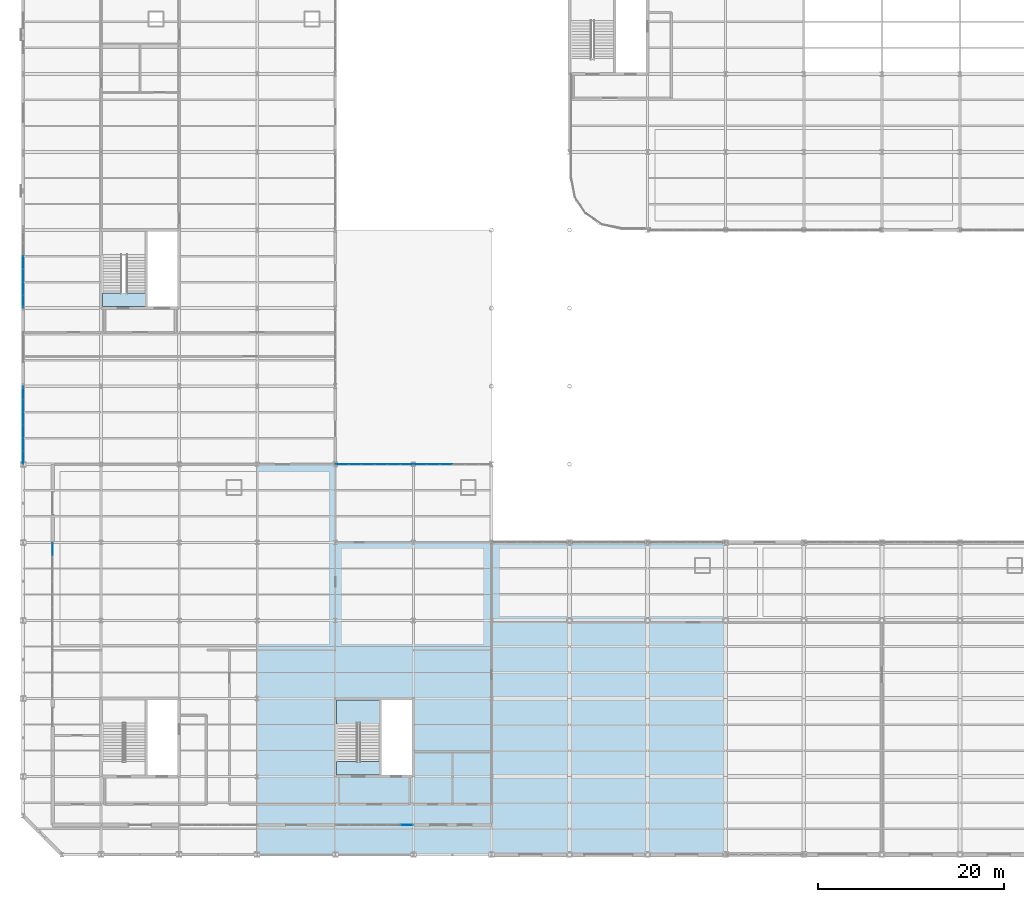
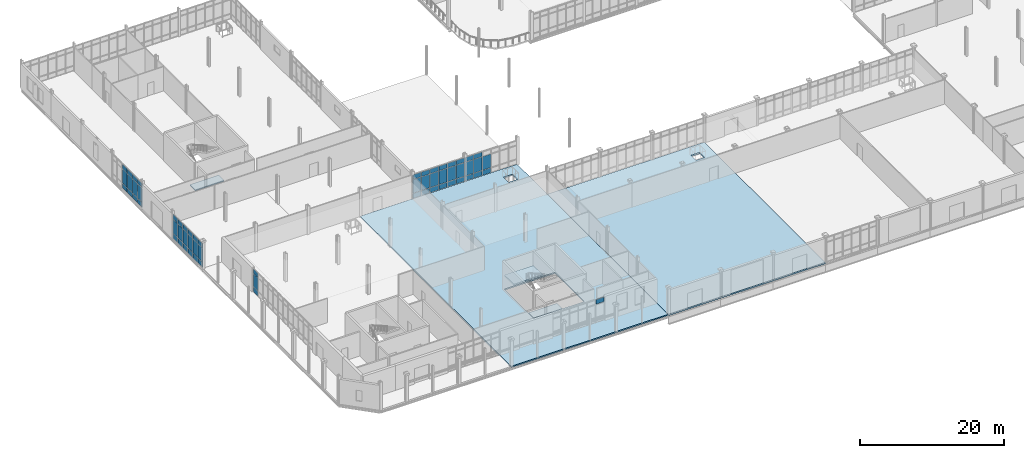
# One storey, part 110 of 145: 60 plates, 5 slabs, 7 elements without a shape of their own.
"""IFC4 building model written with IfcOpenShell, lengths in metres."""

from ifc_helpers import new_model, si_unit, direction, frame, origin, origin_2d, place, context, subcontext, project, spatial, polyline, rectangle, outline, extrude, material, layer, layer_set, type_object, element, aggregate, save


model = new_model("IFC4")

# Units and contexts
model_context = context("Model", 3, precision=1e-05, world=origin(), true_north=direction((0.0, 1.0)))
body_context = subcontext(model_context, "Body", "Model", "MODEL_VIEW")
ifc_project = project(units=[si_unit("LENGTHUNIT", "METRE"), si_unit("AREAUNIT", "SQUARE_METRE"), si_unit("VOLUMEUNIT", "CUBIC_METRE"), si_unit("PLANEANGLEUNIT", "RADIAN"), si_unit("MASSUNIT", "GRAM", prefix="KILO")], contexts=[model_context])

# Site, building, storey
site_placement = place(None, origin())
site = spatial("IfcSite", under=ifc_project, at=site_placement, CompositionType="ELEMENT")
building_placement = place(site_placement, origin())
building = spatial("IfcBuilding", under=site, at=building_placement, Name="Qalvenar Corner Mobility Hub", CompositionType="ELEMENT")
storey_placement = place(building_placement, origin())
storey = spatial("IfcBuildingStorey", under=building, at=storey_placement, Name="L00", CompositionType="ELEMENT", Elevation=0.0)

# Curtain wall, plates
ifc_material_1 = material(Name="Anodised Aluminium and Low-E Glazing", Category="aluminium")
ifc_layer_1 = layer(ifc_material_1, 0.14990234375)
ifc_layer_set_1 = layer_set([ifc_layer_1], Name="Anodised Aluminium and Low-E Glazing")
curtain_wall_type_1 = type_object("IfcCurtainWallType", Name="CW-CIV-84X40", PredefinedType="NOTDEFINED", material=ifc_layer_set_1)
curtain_wall_1_placement = place(storey_placement, origin())
curtain_wall_1 = element("IfcCurtainWall", 1, at=curtain_wall_1_placement, inside=storey, type_object=curtain_wall_type_1, Name="Glazed Curtain Wall CW-V3-L00-W004", PredefinedType="NOTDEFINED")
ifc_material_2 = material(Name="Solar-Control Low-E Double Glazing", Category="glass")
ifc_layer_2 = layer(ifc_material_2, 0.028076171875)
ifc_layer_set_2 = layer_set([ifc_layer_2], Name="Solar-Control Low-E Double Glazing")
plate_type_1 = type_object("IfcPlateType", Name="PLT-CWP-GLZ1", PredefinedType="CURTAIN_PANEL", material=ifc_layer_set_2)
plate_1_placement = place(storey_placement, frame((3.199951171875, 32.885009765625, 0.05517578125), z_axis=(0.0, 0.0, 1.0), x_axis=(0.0, -1.0, 0.0)))
plate_1 = element("IfcPlate", 2, at=plate_1_placement, type_object=plate_type_1, Name="CW-05 panel 1.1", PredefinedType="CURTAIN_PANEL", context=body_context, shape_type="SweptSolid", body=[
    extrude(rectangle(XDim=1.31005859375, YDim=0.028076171875, at=origin_2d()), origin(), (0.0, 0.0, 1.0), 0.8173828125),
])
plate_2_placement = place(storey_placement, frame((3.199951171875, 32.885009765625, 0.92724609375), z_axis=(0.0, 0.0, 1.0), x_axis=(0.0, -1.0, 0.0)))
plate_2 = element("IfcPlate", 3, at=plate_2_placement, type_object=plate_type_1, Name="CW-05 panel 1.2", PredefinedType="CURTAIN_PANEL", context=body_context, shape_type="SweptSolid", body=[
    extrude(rectangle(XDim=1.31005859375, YDim=0.028076171875, at=origin_2d()), origin(), (0.0, 0.0, 1.0), 2.195068359375),
])
plate_3_placement = place(storey_placement, frame((3.199951171875, 32.885009765625, 3.177490234375), z_axis=(0.0, 0.0, 1.0), x_axis=(0.0, -1.0, 0.0)))
plate_3 = element("IfcPlate", 4, at=plate_3_placement, type_object=plate_type_1, Name="CW-05 panel 1.3", PredefinedType="CURTAIN_PANEL", context=body_context, shape_type="SweptSolid", body=[
    extrude(rectangle(XDim=1.31005859375, YDim=0.028076171875, at=origin_2d()), origin(), (0.0, 0.0, 1.0), 0.767578125),
])
aggregate(curtain_wall_1, [plate_1, plate_2, plate_3])

ifc_layer_3 = layer(ifc_material_1, 0.14990234375)
ifc_layer_set_3 = layer_set([ifc_layer_3], Name="Anodised Aluminium and Low-E Glazing")
curtain_wall_type_2 = type_object("IfcCurtainWallType", Name="CW-CIV-84X46", PredefinedType="NOTDEFINED", material=ifc_layer_set_3)
curtain_wall_2_placement = place(storey_placement, origin())
curtain_wall_2 = element("IfcCurtainWall", 5, at=curtain_wall_2_placement, inside=storey, type_object=curtain_wall_type_2, Name="Glazed Curtain Wall CW-V3-L00-N005", PredefinedType="NOTDEFINED")
plate_4_placement = place(storey_placement, frame((45.5, 42.0, 0.05517578125), z_axis=(0.0, 0.0, 1.0), x_axis=(-1.0, 0.0, 0.0)))
plate_4 = element("IfcPlate", 6, at=plate_4_placement, type_object=plate_type_1, Name="CW-04 panel 4.1", PredefinedType="CURTAIN_PANEL", context=body_context, shape_type="SweptSolid", body=[
    extrude(rectangle(XDim=1.340087890625, YDim=0.028076171875, at=origin_2d()), origin(), (0.0, 0.0, 1.0), 0.8173828125),
])
plate_5_placement = place(storey_placement, frame((45.5, 42.0, 0.927490234375), z_axis=(0.0, 0.0, 1.0), x_axis=(-1.0, 0.0, 0.0)))
plate_5 = element("IfcPlate", 7, at=plate_5_placement, type_object=plate_type_1, Name="CW-04 panel 4.2", PredefinedType="CURTAIN_PANEL", context=body_context, shape_type="SweptSolid", body=[
    extrude(rectangle(XDim=1.340087890625, YDim=0.028076171875, at=origin_2d()), origin(), (0.0, 0.0, 1.0), 2.294921875),
])
plate_6_placement = place(storey_placement, frame((44.10009765625, 42.0, 0.05517578125), z_axis=(0.0, 0.0, 1.0), x_axis=(-1.0, 0.0, 0.0)))
plate_6 = element("IfcPlate", 8, at=plate_6_placement, type_object=plate_type_1, Name="CW-04 panel 5.1", PredefinedType="CURTAIN_PANEL", context=body_context, shape_type="SweptSolid", body=[
    extrude(rectangle(XDim=1.340087890625, YDim=0.028076171875, at=origin_2d()), origin(), (0.0, 0.0, 1.0), 0.8173828125),
])
plate_7_placement = place(storey_placement, frame((44.10009765625, 42.0, 0.927490234375), z_axis=(0.0, 0.0, 1.0), x_axis=(-1.0, 0.0, 0.0)))
plate_7 = element("IfcPlate", 9, at=plate_7_placement, type_object=plate_type_1, Name="CW-04 panel 5.2", PredefinedType="CURTAIN_PANEL", context=body_context, shape_type="SweptSolid", body=[
    extrude(rectangle(XDim=1.340087890625, YDim=0.028076171875, at=origin_2d()), origin(), (0.0, 0.0, 1.0), 2.294921875),
])
plate_8_placement = place(storey_placement, frame((44.10009765625, 42.0, 3.27734375), z_axis=(0.0, 0.0, 1.0), x_axis=(-1.0, 0.0, 0.0)))
plate_8 = element("IfcPlate", 10, at=plate_8_placement, type_object=plate_type_1, Name="CW-04 panel 5.3", PredefinedType="CURTAIN_PANEL", context=body_context, shape_type="SweptSolid", body=[
    extrude(rectangle(XDim=1.340087890625, YDim=0.028076171875, at=origin_2d()), origin(), (0.0, 0.0, 1.0), 0.767578125),
])
plate_9_placement = place(storey_placement, frame((42.715087890625, 42.0, 0.05517578125), z_axis=(0.0, 0.0, 1.0), x_axis=(-1.0, 0.0, 0.0)))
plate_9 = element("IfcPlate", 11, at=plate_9_placement, type_object=plate_type_1, Name="CW-04 panel 6.1", PredefinedType="CURTAIN_PANEL", context=body_context, shape_type="SweptSolid", body=[
    extrude(rectangle(XDim=1.31005859375, YDim=0.028076171875, at=origin_2d()), origin(), (0.0, 0.0, 1.0), 0.8173828125),
])
plate_10_placement = place(storey_placement, frame((42.715087890625, 42.0, 0.927490234375), z_axis=(0.0, 0.0, 1.0), x_axis=(-1.0, 0.0, 0.0)))
plate_10 = element("IfcPlate", 12, at=plate_10_placement, type_object=plate_type_1, Name="CW-04 panel 6.2", PredefinedType="CURTAIN_PANEL", context=body_context, shape_type="SweptSolid", body=[
    extrude(rectangle(XDim=1.31005859375, YDim=0.028076171875, at=origin_2d()), origin(), (0.0, 0.0, 1.0), 2.294921875),
])
plate_11_placement = place(storey_placement, frame((42.715087890625, 42.0, 3.27734375), z_axis=(0.0, 0.0, 1.0), x_axis=(-1.0, 0.0, 0.0)))
plate_11 = element("IfcPlate", 13, at=plate_11_placement, type_object=plate_type_1, Name="CW-04 panel 6.3", PredefinedType="CURTAIN_PANEL", context=body_context, shape_type="SweptSolid", body=[
    extrude(rectangle(XDim=1.31005859375, YDim=0.028076171875, at=origin_2d()), origin(), (0.0, 0.0, 1.0), 0.767578125),
])
aggregate(curtain_wall_2, [plate_4, plate_5, plate_6, plate_7, plate_8, plate_9, plate_10, plate_11])

curtain_wall_3_placement = place(storey_placement, origin())
curtain_wall_3 = element("IfcCurtainWall", 14, at=curtain_wall_3_placement, inside=storey, type_object=curtain_wall_type_2, Name="Glazed Curtain Wall CW-V3-L00-N006", PredefinedType="NOTDEFINED")
plate_12_placement = place(storey_placement, frame((41.284912109375, 42.0, 0.05517578125), z_axis=(0.0, 0.0, 1.0), x_axis=(-1.0, 0.0, 0.0)))
plate_12 = element("IfcPlate", 15, at=plate_12_placement, type_object=plate_type_1, Name="CW-04 panel 1.1", PredefinedType="CURTAIN_PANEL", context=body_context, shape_type="SweptSolid", body=[
    extrude(rectangle(XDim=1.31005859375, YDim=0.028076171875, at=origin_2d()), origin(), (0.0, 0.0, 1.0), 0.8173828125),
])
plate_13_placement = place(storey_placement, frame((41.284912109375, 42.0, 0.927490234375), z_axis=(0.0, 0.0, 1.0), x_axis=(-1.0, 0.0, 0.0)))
plate_13 = element("IfcPlate", 16, at=plate_13_placement, type_object=plate_type_1, Name="CW-04 panel 1.2", PredefinedType="CURTAIN_PANEL", context=body_context, shape_type="SweptSolid", body=[
    extrude(rectangle(XDim=1.31005859375, YDim=0.028076171875, at=origin_2d()), origin(), (0.0, 0.0, 1.0), 2.294921875),
])
plate_14_placement = place(storey_placement, frame((41.284912109375, 42.0, 3.27734375), z_axis=(0.0, 0.0, 1.0), x_axis=(-1.0, 0.0, 0.0)))
plate_14 = element("IfcPlate", 17, at=plate_14_placement, type_object=plate_type_1, Name="CW-04 panel 1.3", PredefinedType="CURTAIN_PANEL", context=body_context, shape_type="SweptSolid", body=[
    extrude(rectangle(XDim=1.31005859375, YDim=0.028076171875, at=origin_2d()), origin(), (0.0, 0.0, 1.0), 0.767578125),
])
plate_15_placement = place(storey_placement, frame((39.89990234375, 42.0, 0.05517578125), z_axis=(0.0, 0.0, 1.0), x_axis=(-1.0, 0.0, 0.0)))
plate_15 = element("IfcPlate", 18, at=plate_15_placement, type_object=plate_type_1, Name="CW-04 panel 2.1", PredefinedType="CURTAIN_PANEL", context=body_context, shape_type="SweptSolid", body=[
    extrude(rectangle(XDim=1.340087890625, YDim=0.028076171875, at=origin_2d()), origin(), (0.0, 0.0, 1.0), 0.8173828125),
])
plate_16_placement = place(storey_placement, frame((39.89990234375, 42.0, 0.927490234375), z_axis=(0.0, 0.0, 1.0), x_axis=(-1.0, 0.0, 0.0)))
plate_16 = element("IfcPlate", 19, at=plate_16_placement, type_object=plate_type_1, Name="CW-04 panel 2.2", PredefinedType="CURTAIN_PANEL", context=body_context, shape_type="SweptSolid", body=[
    extrude(rectangle(XDim=1.340087890625, YDim=0.028076171875, at=origin_2d()), origin(), (0.0, 0.0, 1.0), 2.294921875),
])
plate_17_placement = place(storey_placement, frame((39.89990234375, 42.0, 3.27734375), z_axis=(0.0, 0.0, 1.0), x_axis=(-1.0, 0.0, 0.0)))
plate_17 = element("IfcPlate", 20, at=plate_17_placement, type_object=plate_type_1, Name="CW-04 panel 2.3", PredefinedType="CURTAIN_PANEL", context=body_context, shape_type="SweptSolid", body=[
    extrude(rectangle(XDim=1.340087890625, YDim=0.028076171875, at=origin_2d()), origin(), (0.0, 0.0, 1.0), 0.767578125),
])
plate_18_placement = place(storey_placement, frame((38.5, 42.0, 0.05517578125), z_axis=(0.0, 0.0, 1.0), x_axis=(-1.0, 0.0, 0.0)))
plate_18 = element("IfcPlate", 21, at=plate_18_placement, type_object=plate_type_1, Name="CW-04 panel 3.1", PredefinedType="CURTAIN_PANEL", context=body_context, shape_type="SweptSolid", body=[
    extrude(rectangle(XDim=1.340087890625, YDim=0.028076171875, at=origin_2d()), origin(), (0.0, 0.0, 1.0), 0.8173828125),
])
plate_19_placement = place(storey_placement, frame((38.5, 42.0, 0.927490234375), z_axis=(0.0, 0.0, 1.0), x_axis=(-1.0, 0.0, 0.0)))
plate_19 = element("IfcPlate", 22, at=plate_19_placement, type_object=plate_type_1, Name="CW-04 panel 3.2", PredefinedType="CURTAIN_PANEL", context=body_context, shape_type="SweptSolid", body=[
    extrude(rectangle(XDim=1.340087890625, YDim=0.028076171875, at=origin_2d()), origin(), (0.0, 0.0, 1.0), 2.294921875),
])
plate_20_placement = place(storey_placement, frame((38.5, 42.0, 3.27734375), z_axis=(0.0, 0.0, 1.0), x_axis=(-1.0, 0.0, 0.0)))
plate_20 = element("IfcPlate", 23, at=plate_20_placement, type_object=plate_type_1, Name="CW-04 panel 3.3", PredefinedType="CURTAIN_PANEL", context=body_context, shape_type="SweptSolid", body=[
    extrude(rectangle(XDim=1.340087890625, YDim=0.028076171875, at=origin_2d()), origin(), (0.0, 0.0, 1.0), 0.767578125),
])
plate_21_placement = place(storey_placement, frame((37.10009765625, 42.0, 0.05517578125), z_axis=(0.0, 0.0, 1.0), x_axis=(-1.0, 0.0, 0.0)))
plate_21 = element("IfcPlate", 24, at=plate_21_placement, type_object=plate_type_1, Name="CW-04 panel 4.1", PredefinedType="CURTAIN_PANEL", context=body_context, shape_type="SweptSolid", body=[
    extrude(rectangle(XDim=1.340087890625, YDim=0.028076171875, at=origin_2d()), origin(), (0.0, 0.0, 1.0), 0.8173828125),
])
plate_22_placement = place(storey_placement, frame((37.10009765625, 42.0, 0.927490234375), z_axis=(0.0, 0.0, 1.0), x_axis=(-1.0, 0.0, 0.0)))
plate_22 = element("IfcPlate", 25, at=plate_22_placement, type_object=plate_type_1, Name="CW-04 panel 4.2", PredefinedType="CURTAIN_PANEL", context=body_context, shape_type="SweptSolid", body=[
    extrude(rectangle(XDim=1.340087890625, YDim=0.028076171875, at=origin_2d()), origin(), (0.0, 0.0, 1.0), 2.294921875),
])
plate_23_placement = place(storey_placement, frame((37.10009765625, 42.0, 3.27734375), z_axis=(0.0, 0.0, 1.0), x_axis=(-1.0, 0.0, 0.0)))
plate_23 = element("IfcPlate", 26, at=plate_23_placement, type_object=plate_type_1, Name="CW-04 panel 4.3", PredefinedType="CURTAIN_PANEL", context=body_context, shape_type="SweptSolid", body=[
    extrude(rectangle(XDim=1.340087890625, YDim=0.028076171875, at=origin_2d()), origin(), (0.0, 0.0, 1.0), 0.767578125),
])
plate_24_placement = place(storey_placement, frame((35.699951171875, 42.0, 0.05517578125), z_axis=(0.0, 0.0, 1.0), x_axis=(-1.0, 0.0, 0.0)))
plate_24 = element("IfcPlate", 27, at=plate_24_placement, type_object=plate_type_1, Name="CW-04 panel 5.1", PredefinedType="CURTAIN_PANEL", context=body_context, shape_type="SweptSolid", body=[
    extrude(rectangle(XDim=1.340087890625, YDim=0.028076171875, at=origin_2d()), origin(), (0.0, 0.0, 1.0), 0.8173828125),
])
plate_25_placement = place(storey_placement, frame((35.699951171875, 42.0, 0.927490234375), z_axis=(0.0, 0.0, 1.0), x_axis=(-1.0, 0.0, 0.0)))
plate_25 = element("IfcPlate", 28, at=plate_25_placement, type_object=plate_type_1, Name="CW-04 panel 5.2", PredefinedType="CURTAIN_PANEL", context=body_context, shape_type="SweptSolid", body=[
    extrude(rectangle(XDim=1.340087890625, YDim=0.028076171875, at=origin_2d()), origin(), (0.0, 0.0, 1.0), 2.294921875),
])
plate_26_placement = place(storey_placement, frame((35.699951171875, 42.0, 3.27734375), z_axis=(0.0, 0.0, 1.0), x_axis=(-1.0, 0.0, 0.0)))
plate_26 = element("IfcPlate", 29, at=plate_26_placement, type_object=plate_type_1, Name="CW-04 panel 5.3", PredefinedType="CURTAIN_PANEL", context=body_context, shape_type="SweptSolid", body=[
    extrude(rectangle(XDim=1.340087890625, YDim=0.028076171875, at=origin_2d()), origin(), (0.0, 0.0, 1.0), 0.767578125),
])
plate_27_placement = place(storey_placement, frame((34.31494140625, 42.0, 0.05517578125), z_axis=(0.0, 0.0, 1.0), x_axis=(-1.0, 0.0, 0.0)))
plate_27 = element("IfcPlate", 30, at=plate_27_placement, type_object=plate_type_1, Name="CW-04 panel 6.1", PredefinedType="CURTAIN_PANEL", context=body_context, shape_type="SweptSolid", body=[
    extrude(rectangle(XDim=1.31005859375, YDim=0.028076171875, at=origin_2d()), origin(), (0.0, 0.0, 1.0), 0.8173828125),
])
plate_28_placement = place(storey_placement, frame((34.31494140625, 42.0, 0.927490234375), z_axis=(0.0, 0.0, 1.0), x_axis=(-1.0, 0.0, 0.0)))
plate_28 = element("IfcPlate", 31, at=plate_28_placement, type_object=plate_type_1, Name="CW-04 panel 6.2", PredefinedType="CURTAIN_PANEL", context=body_context, shape_type="SweptSolid", body=[
    extrude(rectangle(XDim=1.31005859375, YDim=0.028076171875, at=origin_2d()), origin(), (0.0, 0.0, 1.0), 2.294921875),
])
plate_29_placement = place(storey_placement, frame((34.31494140625, 42.0, 3.27734375), z_axis=(0.0, 0.0, 1.0), x_axis=(-1.0, 0.0, 0.0)))
plate_29 = element("IfcPlate", 32, at=plate_29_placement, type_object=plate_type_1, Name="CW-04 panel 6.3", PredefinedType="CURTAIN_PANEL", context=body_context, shape_type="SweptSolid", body=[
    extrude(rectangle(XDim=1.31005859375, YDim=0.028076171875, at=origin_2d()), origin(), (0.0, 0.0, 1.0), 0.767578125),
])
aggregate(curtain_wall_3, [plate_12, plate_13, plate_14, plate_15, plate_16, plate_17, plate_18, plate_19, plate_20, plate_21, plate_22, plate_23, plate_24, plate_25, plate_26, plate_27, plate_28, plate_29])

ifc_layer_4 = layer(ifc_material_1, 0.14990234375)
ifc_layer_set_4 = layer_set([ifc_layer_4], Name="Anodised Aluminium and Low-E Glazing")
curtain_wall_type_3 = type_object("IfcCurtainWallType", Name="CW-CYC-84X45", PredefinedType="NOTDEFINED", material=ifc_layer_set_4)
curtain_wall_4_placement = place(storey_placement, origin())
curtain_wall_4 = element("IfcCurtainWall", 33, at=curtain_wall_4_placement, inside=storey, type_object=curtain_wall_type_3, Name="Glazed Curtain Wall CW-V5-L00-W0", PredefinedType="NOTDEFINED")
plate_30_placement = place(storey_placement, frame((0.0, 49.68505859375, 0.05517578125), z_axis=(0.0, 0.0, 1.0), x_axis=(0.0, -1.0, 0.0)))
plate_30 = element("IfcPlate", 34, at=plate_30_placement, type_object=plate_type_1, Name="CW-07 panel 1.1", PredefinedType="CURTAIN_PANEL", context=body_context, shape_type="SweptSolid", body=[
    extrude(rectangle(XDim=1.31005859375, YDim=0.028076171875, at=origin_2d()), origin(), (0.0, 0.0, 1.0), 0.8173828125),
])
plate_31_placement = place(storey_placement, frame((0.0, 49.68505859375, 0.927734375), z_axis=(0.0, 0.0, 1.0), x_axis=(0.0, -1.0, 0.0)))
plate_31 = element("IfcPlate", 35, at=plate_31_placement, type_object=plate_type_1, Name="CW-07 panel 1.2", PredefinedType="CURTAIN_PANEL", context=body_context, shape_type="SweptSolid", body=[
    extrude(rectangle(XDim=1.31005859375, YDim=0.028076171875, at=origin_2d()), origin(), (0.0, 0.0, 1.0), 2.364990234375),
])
plate_32_placement = place(storey_placement, frame((0.0, 49.68505859375, 3.347412109375), z_axis=(0.0, 0.0, 1.0), x_axis=(0.0, -1.0, 0.0)))
plate_32 = element("IfcPlate", 36, at=plate_32_placement, type_object=plate_type_1, Name="CW-07 panel 1.3", PredefinedType="CURTAIN_PANEL", context=body_context, shape_type="SweptSolid", body=[
    extrude(rectangle(XDim=1.31005859375, YDim=0.028076171875, at=origin_2d()), origin(), (0.0, 0.0, 1.0), 0.767578125),
])
plate_33_placement = place(storey_placement, frame((0.0, 48.300048828125, 0.05517578125), z_axis=(0.0, 0.0, 1.0), x_axis=(0.0, -1.0, 0.0)))
plate_33 = element("IfcPlate", 37, at=plate_33_placement, type_object=plate_type_1, Name="CW-07 panel 2.1", PredefinedType="CURTAIN_PANEL", context=body_context, shape_type="SweptSolid", body=[
    extrude(rectangle(XDim=1.340087890625, YDim=0.028076171875, at=origin_2d()), origin(), (0.0, 0.0, 1.0), 0.8173828125),
])
plate_34_placement = place(storey_placement, frame((0.0, 48.300048828125, 0.927734375), z_axis=(0.0, 0.0, 1.0), x_axis=(0.0, -1.0, 0.0)))
plate_34 = element("IfcPlate", 38, at=plate_34_placement, type_object=plate_type_1, Name="CW-07 panel 2.2", PredefinedType="CURTAIN_PANEL", context=body_context, shape_type="SweptSolid", body=[
    extrude(rectangle(XDim=1.340087890625, YDim=0.028076171875, at=origin_2d()), origin(), (0.0, 0.0, 1.0), 2.364990234375),
])
plate_35_placement = place(storey_placement, frame((0.0, 48.300048828125, 3.347412109375), z_axis=(0.0, 0.0, 1.0), x_axis=(0.0, -1.0, 0.0)))
plate_35 = element("IfcPlate", 39, at=plate_35_placement, type_object=plate_type_1, Name="CW-07 panel 2.3", PredefinedType="CURTAIN_PANEL", context=body_context, shape_type="SweptSolid", body=[
    extrude(rectangle(XDim=1.340087890625, YDim=0.028076171875, at=origin_2d()), origin(), (0.0, 0.0, 1.0), 0.767578125),
])
plate_36_placement = place(storey_placement, frame((0.0, 46.89990234375, 0.05517578125), z_axis=(0.0, 0.0, 1.0), x_axis=(0.0, -1.0, 0.0)))
plate_36 = element("IfcPlate", 40, at=plate_36_placement, type_object=plate_type_1, Name="CW-07 panel 3.1", PredefinedType="CURTAIN_PANEL", context=body_context, shape_type="SweptSolid", body=[
    extrude(rectangle(XDim=1.340087890625, YDim=0.028076171875, at=origin_2d()), origin(), (0.0, 0.0, 1.0), 0.8173828125),
])
plate_37_placement = place(storey_placement, frame((0.0, 46.89990234375, 0.927734375), z_axis=(0.0, 0.0, 1.0), x_axis=(0.0, -1.0, 0.0)))
plate_37 = element("IfcPlate", 41, at=plate_37_placement, type_object=plate_type_1, Name="CW-07 panel 3.2", PredefinedType="CURTAIN_PANEL", context=body_context, shape_type="SweptSolid", body=[
    extrude(rectangle(XDim=1.340087890625, YDim=0.028076171875, at=origin_2d()), origin(), (0.0, 0.0, 1.0), 2.364990234375),
])
plate_38_placement = place(storey_placement, frame((0.0, 46.89990234375, 3.347412109375), z_axis=(0.0, 0.0, 1.0), x_axis=(0.0, -1.0, 0.0)))
plate_38 = element("IfcPlate", 42, at=plate_38_placement, type_object=plate_type_1, Name="CW-07 panel 3.3", PredefinedType="CURTAIN_PANEL", context=body_context, shape_type="SweptSolid", body=[
    extrude(rectangle(XDim=1.340087890625, YDim=0.028076171875, at=origin_2d()), origin(), (0.0, 0.0, 1.0), 0.767578125),
])
plate_39_placement = place(storey_placement, frame((0.0, 45.5, 0.05517578125), z_axis=(0.0, 0.0, 1.0), x_axis=(0.0, -1.0, 0.0)))
plate_39 = element("IfcPlate", 43, at=plate_39_placement, type_object=plate_type_1, Name="CW-07 panel 4.1", PredefinedType="CURTAIN_PANEL", context=body_context, shape_type="SweptSolid", body=[
    extrude(rectangle(XDim=1.340087890625, YDim=0.028076171875, at=origin_2d()), origin(), (0.0, 0.0, 1.0), 0.8173828125),
])
plate_40_placement = place(storey_placement, frame((0.0, 45.5, 0.927734375), z_axis=(0.0, 0.0, 1.0), x_axis=(0.0, -1.0, 0.0)))
plate_40 = element("IfcPlate", 44, at=plate_40_placement, type_object=plate_type_1, Name="CW-07 panel 4.2", PredefinedType="CURTAIN_PANEL", context=body_context, shape_type="SweptSolid", body=[
    extrude(rectangle(XDim=1.340087890625, YDim=0.028076171875, at=origin_2d()), origin(), (0.0, 0.0, 1.0), 2.364990234375),
])
plate_41_placement = place(storey_placement, frame((0.0, 45.5, 3.347412109375), z_axis=(0.0, 0.0, 1.0), x_axis=(0.0, -1.0, 0.0)))
plate_41 = element("IfcPlate", 45, at=plate_41_placement, type_object=plate_type_1, Name="CW-07 panel 4.3", PredefinedType="CURTAIN_PANEL", context=body_context, shape_type="SweptSolid", body=[
    extrude(rectangle(XDim=1.340087890625, YDim=0.028076171875, at=origin_2d()), origin(), (0.0, 0.0, 1.0), 0.767578125),
])
plate_42_placement = place(storey_placement, frame((0.0, 44.10009765625, 0.05517578125), z_axis=(0.0, 0.0, 1.0), x_axis=(0.0, -1.0, 0.0)))
plate_42 = element("IfcPlate", 46, at=plate_42_placement, type_object=plate_type_1, Name="CW-07 panel 5.1", PredefinedType="CURTAIN_PANEL", context=body_context, shape_type="SweptSolid", body=[
    extrude(rectangle(XDim=1.340087890625, YDim=0.028076171875, at=origin_2d()), origin(), (0.0, 0.0, 1.0), 0.8173828125),
])
plate_43_placement = place(storey_placement, frame((0.0, 44.10009765625, 0.927734375), z_axis=(0.0, 0.0, 1.0), x_axis=(0.0, -1.0, 0.0)))
plate_43 = element("IfcPlate", 47, at=plate_43_placement, type_object=plate_type_1, Name="CW-07 panel 5.2", PredefinedType="CURTAIN_PANEL", context=body_context, shape_type="SweptSolid", body=[
    extrude(rectangle(XDim=1.340087890625, YDim=0.028076171875, at=origin_2d()), origin(), (0.0, 0.0, 1.0), 2.364990234375),
])
plate_44_placement = place(storey_placement, frame((0.0, 44.10009765625, 3.347412109375), z_axis=(0.0, 0.0, 1.0), x_axis=(0.0, -1.0, 0.0)))
plate_44 = element("IfcPlate", 48, at=plate_44_placement, type_object=plate_type_1, Name="CW-07 panel 5.3", PredefinedType="CURTAIN_PANEL", context=body_context, shape_type="SweptSolid", body=[
    extrude(rectangle(XDim=1.340087890625, YDim=0.028076171875, at=origin_2d()), origin(), (0.0, 0.0, 1.0), 0.767578125),
])
plate_45_placement = place(storey_placement, frame((0.0, 42.715087890625, 0.05517578125), z_axis=(0.0, 0.0, 1.0), x_axis=(0.0, -1.0, 0.0)))
plate_45 = element("IfcPlate", 49, at=plate_45_placement, type_object=plate_type_1, Name="CW-07 panel 6.1", PredefinedType="CURTAIN_PANEL", context=body_context, shape_type="SweptSolid", body=[
    extrude(rectangle(XDim=1.31005859375, YDim=0.028076171875, at=origin_2d()), origin(), (0.0, 0.0, 1.0), 0.8173828125),
])
plate_46_placement = place(storey_placement, frame((0.0, 42.715087890625, 0.927734375), z_axis=(0.0, 0.0, 1.0), x_axis=(0.0, -1.0, 0.0)))
plate_46 = element("IfcPlate", 50, at=plate_46_placement, type_object=plate_type_1, Name="CW-07 panel 6.2", PredefinedType="CURTAIN_PANEL", context=body_context, shape_type="SweptSolid", body=[
    extrude(rectangle(XDim=1.31005859375, YDim=0.028076171875, at=origin_2d()), origin(), (0.0, 0.0, 1.0), 2.364990234375),
])
plate_47_placement = place(storey_placement, frame((0.0, 42.715087890625, 3.347412109375), z_axis=(0.0, 0.0, 1.0), x_axis=(0.0, -1.0, 0.0)))
plate_47 = element("IfcPlate", 51, at=plate_47_placement, type_object=plate_type_1, Name="CW-07 panel 6.3", PredefinedType="CURTAIN_PANEL", context=body_context, shape_type="SweptSolid", body=[
    extrude(rectangle(XDim=1.31005859375, YDim=0.028076171875, at=origin_2d()), origin(), (0.0, 0.0, 1.0), 0.767578125),
])
aggregate(curtain_wall_4, [plate_30, plate_31, plate_32, plate_33, plate_34, plate_35, plate_36, plate_37, plate_38, plate_39, plate_40, plate_41, plate_42, plate_43, plate_44, plate_45, plate_46, plate_47])

curtain_wall_5_placement = place(storey_placement, origin())
curtain_wall_5 = element("IfcCurtainWall", 52, at=curtain_wall_5_placement, inside=storey, type_object=curtain_wall_type_3, Name="Glazed Curtain Wall CW-V5-L00-W2", PredefinedType="NOTDEFINED")
plate_48_placement = place(storey_placement, frame((0.0, 63.699951171875, 0.05517578125), z_axis=(0.0, 0.0, 1.0), x_axis=(0.0, -1.0, 0.0)))
plate_48 = element("IfcPlate", 53, at=plate_48_placement, type_object=plate_type_1, Name="CW-07 panel 3.1", PredefinedType="CURTAIN_PANEL", context=body_context, shape_type="SweptSolid", body=[
    extrude(rectangle(XDim=1.340087890625, YDim=0.028076171875, at=origin_2d()), origin(), (0.0, 0.0, 1.0), 0.8173828125),
])
plate_49_placement = place(storey_placement, frame((0.0, 63.699951171875, 0.927734375), z_axis=(0.0, 0.0, 1.0), x_axis=(0.0, -1.0, 0.0)))
plate_49 = element("IfcPlate", 54, at=plate_49_placement, type_object=plate_type_1, Name="CW-07 panel 3.2", PredefinedType="CURTAIN_PANEL", context=body_context, shape_type="SweptSolid", body=[
    extrude(rectangle(XDim=1.340087890625, YDim=0.028076171875, at=origin_2d()), origin(), (0.0, 0.0, 1.0), 2.364990234375),
])
plate_50_placement = place(storey_placement, frame((0.0, 63.699951171875, 3.347412109375), z_axis=(0.0, 0.0, 1.0), x_axis=(0.0, -1.0, 0.0)))
plate_50 = element("IfcPlate", 55, at=plate_50_placement, type_object=plate_type_1, Name="CW-07 panel 3.3", PredefinedType="CURTAIN_PANEL", context=body_context, shape_type="SweptSolid", body=[
    extrude(rectangle(XDim=1.340087890625, YDim=0.028076171875, at=origin_2d()), origin(), (0.0, 0.0, 1.0), 0.767578125),
])
plate_51_placement = place(storey_placement, frame((0.0, 62.300048828125, 0.05517578125), z_axis=(0.0, 0.0, 1.0), x_axis=(0.0, -1.0, 0.0)))
plate_51 = element("IfcPlate", 56, at=plate_51_placement, type_object=plate_type_1, Name="CW-07 panel 4.1", PredefinedType="CURTAIN_PANEL", context=body_context, shape_type="SweptSolid", body=[
    extrude(rectangle(XDim=1.340087890625, YDim=0.028076171875, at=origin_2d()), origin(), (0.0, 0.0, 1.0), 0.8173828125),
])
plate_52_placement = place(storey_placement, frame((0.0, 62.300048828125, 0.927734375), z_axis=(0.0, 0.0, 1.0), x_axis=(0.0, -1.0, 0.0)))
plate_52 = element("IfcPlate", 57, at=plate_52_placement, type_object=plate_type_1, Name="CW-07 panel 4.2", PredefinedType="CURTAIN_PANEL", context=body_context, shape_type="SweptSolid", body=[
    extrude(rectangle(XDim=1.340087890625, YDim=0.028076171875, at=origin_2d()), origin(), (0.0, 0.0, 1.0), 2.364990234375),
])
plate_53_placement = place(storey_placement, frame((0.0, 62.300048828125, 3.347412109375), z_axis=(0.0, 0.0, 1.0), x_axis=(0.0, -1.0, 0.0)))
plate_53 = element("IfcPlate", 58, at=plate_53_placement, type_object=plate_type_1, Name="CW-07 panel 4.3", PredefinedType="CURTAIN_PANEL", context=body_context, shape_type="SweptSolid", body=[
    extrude(rectangle(XDim=1.340087890625, YDim=0.028076171875, at=origin_2d()), origin(), (0.0, 0.0, 1.0), 0.767578125),
])
plate_54_placement = place(storey_placement, frame((0.0, 60.89990234375, 0.05517578125), z_axis=(0.0, 0.0, 1.0), x_axis=(0.0, -1.0, 0.0)))
plate_54 = element("IfcPlate", 59, at=plate_54_placement, type_object=plate_type_1, Name="CW-07 panel 5.1", PredefinedType="CURTAIN_PANEL", context=body_context, shape_type="SweptSolid", body=[
    extrude(rectangle(XDim=1.340087890625, YDim=0.028076171875, at=origin_2d()), origin(), (0.0, 0.0, 1.0), 0.8173828125),
])
plate_55_placement = place(storey_placement, frame((0.0, 60.89990234375, 0.927734375), z_axis=(0.0, 0.0, 1.0), x_axis=(0.0, -1.0, 0.0)))
plate_55 = element("IfcPlate", 60, at=plate_55_placement, type_object=plate_type_1, Name="CW-07 panel 5.2", PredefinedType="CURTAIN_PANEL", context=body_context, shape_type="SweptSolid", body=[
    extrude(rectangle(XDim=1.340087890625, YDim=0.028076171875, at=origin_2d()), origin(), (0.0, 0.0, 1.0), 2.364990234375),
])
plate_56_placement = place(storey_placement, frame((0.0, 60.89990234375, 3.347412109375), z_axis=(0.0, 0.0, 1.0), x_axis=(0.0, -1.0, 0.0)))
plate_56 = element("IfcPlate", 61, at=plate_56_placement, type_object=plate_type_1, Name="CW-07 panel 5.3", PredefinedType="CURTAIN_PANEL", context=body_context, shape_type="SweptSolid", body=[
    extrude(rectangle(XDim=1.340087890625, YDim=0.028076171875, at=origin_2d()), origin(), (0.0, 0.0, 1.0), 0.767578125),
])
plate_57_placement = place(storey_placement, frame((0.0, 59.514892578125, 0.05517578125), z_axis=(0.0, 0.0, 1.0), x_axis=(0.0, -1.0, 0.0)))
plate_57 = element("IfcPlate", 62, at=plate_57_placement, type_object=plate_type_1, Name="CW-07 panel 6.1", PredefinedType="CURTAIN_PANEL", context=body_context, shape_type="SweptSolid", body=[
    extrude(rectangle(XDim=1.31005859375, YDim=0.028076171875, at=origin_2d()), origin(), (0.0, 0.0, 1.0), 0.8173828125),
])
plate_58_placement = place(storey_placement, frame((0.0, 59.514892578125, 0.927734375), z_axis=(0.0, 0.0, 1.0), x_axis=(0.0, -1.0, 0.0)))
plate_58 = element("IfcPlate", 63, at=plate_58_placement, type_object=plate_type_1, Name="CW-07 panel 6.2", PredefinedType="CURTAIN_PANEL", context=body_context, shape_type="SweptSolid", body=[
    extrude(rectangle(XDim=1.31005859375, YDim=0.028076171875, at=origin_2d()), origin(), (0.0, 0.0, 1.0), 2.364990234375),
])
plate_59_placement = place(storey_placement, frame((0.0, 59.514892578125, 3.347412109375), z_axis=(0.0, 0.0, 1.0), x_axis=(0.0, -1.0, 0.0)))
plate_59 = element("IfcPlate", 64, at=plate_59_placement, type_object=plate_type_1, Name="CW-07 panel 6.3", PredefinedType="CURTAIN_PANEL", context=body_context, shape_type="SweptSolid", body=[
    extrude(rectangle(XDim=1.31005859375, YDim=0.028076171875, at=origin_2d()), origin(), (0.0, 0.0, 1.0), 0.767578125),
])
aggregate(curtain_wall_5, [plate_48, plate_49, plate_50, plate_51, plate_52, plate_53, plate_54, plate_55, plate_56, plate_57, plate_58, plate_59])

# Curtain wall, plate
curtain_wall_6_placement = place(storey_placement, origin())
curtain_wall_6 = element("IfcCurtainWall", 65, at=curtain_wall_6_placement, inside=storey, type_object=curtain_wall_type_1, Name="Glazed Curtain Wall CW-V3-L00-S002", PredefinedType="NOTDEFINED")
ifc_layer_5 = layer(ifc_material_2, 0.02587890625)
ifc_layer_set_5 = layer_set([ifc_layer_5], Name="Solar-Control Low-E Double Glazing")
plate_type_2 = type_object("IfcPlateType", Name="PLT-CWP-GLZ2", PredefinedType="CURTAIN_PANEL", material=ifc_layer_set_5)
plate_60_placement = place(storey_placement, frame((41.284912109375, 3.199951171875, 3.177490234375), z_axis=(0.0, 0.0, 1.0), x_axis=(1.0, 0.0, 0.0)))
plate_60 = element("IfcPlate", 66, at=plate_60_placement, type_object=plate_type_2, Name="CW-05 panel 6.3", PredefinedType="CURTAIN_PANEL", context=body_context, shape_type="SweptSolid", body=[
    extrude(rectangle(XDim=1.31005859375, YDim=0.02587890625, at=origin_2d()), origin(), (0.0, 0.0, 1.0), 0.767578125),
])
aggregate(curtain_wall_6, [plate_60])

# Slabs
ifc_material_3 = material(Name="Concrete C35/45", Category="concrete")
ifc_layer_6 = layer(ifc_material_3, 0.25)
ifc_layer_set_6 = layer_set([ifc_layer_6], Name="Concrete C35/45")
slab_type_1 = type_object("IfcSlabType", Name="SLB-BUS250", PredefinedType="FLOOR", material=ifc_layer_set_6)
slab_1_placement = place(storey_placement, frame((0.0, 0.0, -0.25)))
element("IfcSlab", 67, at=slab_1_placement, inside=storey, type_object=slab_type_1, Name="Composite Slab V1-A-L00", PredefinedType="FLOOR", context=body_context, shape_type="SweptSolid", body=[
    extrude(outline(polyline([(50.39990234375, 0.0), (75.60009765625, 0.0), (75.60009765625, 33.60009765625), (50.39990234375, 33.60009765625), (50.39990234375, 0.0)]), holes=[polyline([(72.39990234375, 30.39990234375), (73.800048828125, 30.39990234375), (73.800048828125, 31.800048828125), (72.39990234375, 31.800048828125), (72.39990234375, 30.39990234375)])]), origin(), (0.0, 0.0, 1.0), 0.25),
])
ifc_layer_7 = layer(ifc_material_3, 0.219970703125)
ifc_layer_set_7 = layer_set([ifc_layer_7], Name="Concrete C35/45")
slab_type_2 = type_object("IfcSlabType", Name="SLB-COMP220", PredefinedType="FLOOR", material=ifc_layer_set_7)
slab_2_placement = place(storey_placement, frame((0.0, 0.0, -0.219970703125)))
element("IfcSlab", 68, at=slab_2_placement, inside=storey, type_object=slab_type_2, Name="Composite Slab V3-B-L00", PredefinedType="FLOOR", context=body_context, shape_type="SweptSolid", body=[
    extrude(outline(polyline([(25.199951171875, 0.0), (50.39990234375, 0.0), (50.39990234375, 42.0), (25.199951171875, 42.0), (25.199951171875, 0.0)]), holes=[polyline([(33.72998046875, 8.530029296875), (41.8701171875, 8.530029296875), (41.8701171875, 16.669921875), (33.72998046875, 16.669921875), (33.72998046875, 8.530029296875)]), polyline([(47.199951171875, 38.800048828125), (48.60009765625, 38.800048828125), (48.60009765625, 40.199951171875), (47.199951171875, 40.199951171875), (47.199951171875, 38.800048828125)])]), origin(), (0.0, 0.0, 1.0), 0.219970703125),
])

# Stair, slab
stair_type = type_object("IfcStairType", Name="STR-200-H48", PredefinedType="TWO_QUARTER_TURN_STAIR", material=ifc_material_3)
stair_placement = place(storey_placement, origin())
stair = element("IfcStair", 69, at=stair_placement, inside=storey, type_object=stair_type, Name="Exit Stair ST2 L00-L01", PredefinedType="TWO_QUARTER_TURN_STAIR")
ifc_layer_8 = layer(ifc_material_3, 0.179931640625)
ifc_layer_set_8 = layer_set([ifc_layer_8], Name="Concrete C35/45")
slab_type_3 = type_object("IfcSlabType", Name="SLB-LND180", PredefinedType="LANDING", material=ifc_layer_set_8)
slab_3_placement = place(storey_placement, frame((0.0, 0.0, 2.219970703125)))
slab_3 = element("IfcSlab", 70, at=slab_3_placement, type_object=slab_type_3, Name="ST2 landing 1", PredefinedType="LANDING", context=body_context, shape_type="SweptSolid", body=[
    extrude(outline(polyline([(33.739990234375, 14.050048828125), (38.3798828125, 14.050048828125), (38.3798828125, 16.659912109375), (33.739990234375, 16.659912109375), (33.739990234375, 14.050048828125)])), origin(), (0.0, 0.0, 1.0), 0.179931640625),
])
aggregate(stair, [slab_3])

# Slabs
ifc_layer_9 = layer(ifc_material_3, 0.175048828125)
ifc_layer_set_9 = layer_set([ifc_layer_9], Name="Concrete C35/45")
slab_type_4 = type_object("IfcSlabType", Name="SLB-LND200", PredefinedType="LANDING", material=ifc_layer_set_9)
slab_4_placement = place(storey_placement, frame((0.0, 0.0, -0.175048828125)))
element("IfcSlab", 71, at=slab_4_placement, inside=storey, type_object=slab_type_4, Name="Core Stair Arrival Landing C2-L00", PredefinedType="LANDING", context=body_context, shape_type="SweptSolid", body=[
    extrude(outline(polyline([(33.75, 8.550048828125), (38.3701171875, 8.550048828125), (38.3701171875, 10.050048828125), (33.75, 10.050048828125), (33.75, 8.550048828125)])), origin(), (0.0, 0.0, 1.0), 0.175048828125),
])
slab_5_placement = place(storey_placement, frame((0.0, 0.0, -0.175048828125)))
element("IfcSlab", 72, at=slab_5_placement, inside=storey, type_object=slab_type_4, Name="Core Stair Arrival Landing C5-L00", PredefinedType="LANDING", context=body_context, shape_type="SweptSolid", body=[
    extrude(outline(polyline([(8.550048828125, 58.949951171875), (13.169921875, 58.949951171875), (13.169921875, 60.449951171875), (8.550048828125, 60.449951171875), (8.550048828125, 58.949951171875)])), origin(), (0.0, 0.0, 1.0), 0.175048828125),
])

save(model, "model.ifc")
